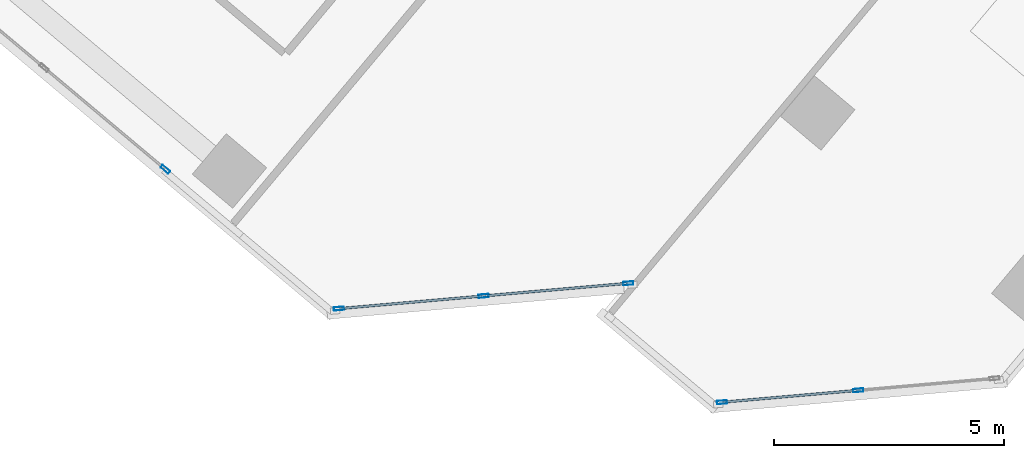
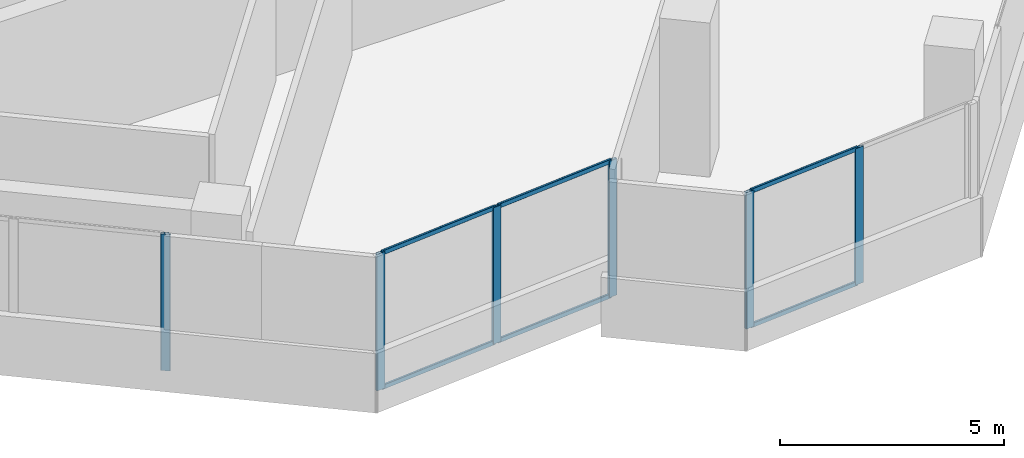
# One storey, part 3 of 17: 12 members, 3 elements without a shape of their own.
"""IFC4 building model written with IfcOpenShell, lengths in metres."""

from ifc_helpers import new_model, si_unit, direction, frame, origin, origin_2d, place, context, subcontext, project, spatial, hollow_rectangle, extrude, source, transform, mapped, material, material_profile, profile_set, type_object, element, aggregate, save


model = new_model("IFC4")

# Units and contexts
model_context = context("Model", 3, precision=1e-05, world=origin(), true_north=direction((0.0, 1.0)))
body_context = subcontext(model_context, "Body", "Model", "MODEL_VIEW")
ifc_project = project(units=[si_unit("LENGTHUNIT", "METRE"), si_unit("AREAUNIT", "SQUARE_METRE"), si_unit("VOLUMEUNIT", "CUBIC_METRE"), si_unit("PLANEANGLEUNIT", "RADIAN"), si_unit("MASSUNIT", "GRAM", prefix="KILO")], contexts=[model_context])

# Site, building, storey
site_placement = place(None, origin())
site = spatial("IfcSite", under=ifc_project, at=site_placement, CompositionType="ELEMENT")
building_placement = place(site_placement, origin())
building = spatial("IfcBuilding", under=site, at=building_placement, Name="Torre Montelarca", CompositionType="ELEMENT")
storey_placement = place(building_placement, frame((0.0, 0.0, 220.60009765625)))
storey = spatial("IfcBuildingStorey", under=building, at=storey_placement, Name="L49", CompositionType="ELEMENT", Elevation=220.60009765625)

# Curtain wall, members
ifc_material_1 = material(Name="Insulated low-E laminated glass", Category="glass")
curtain_wall_type = type_object("IfcCurtainWallType", Name="CW-SYS-Z3", PredefinedType="USERDEFINED", material=ifc_material_1)
curtain_wall_1_placement = place(storey_placement, origin())
curtain_wall_1 = element("IfcCurtainWall", 1, at=curtain_wall_1_placement, inside=storey, type_object=curtain_wall_type, Name="L49 Curtain Wall Run CW-T3-L49-E02-B1", ObjectType="UNITISED GLAZING", PredefinedType="USERDEFINED")
ifc_material_2 = material(Name="Anodised aluminium AA 6063-T6", Category="aluminium")
ifc_material_profile_1 = material_profile(ifc_material_2, hollow_rectangle(XDim=0.054931640625, YDim=0.1201171875, WallThickness=0.00341796875, InnerFilletRadius=0.00341796875, OuterFilletRadius=0.007080078125, at=origin_2d()), Name="ALU55X120X3.5", Category="aluminium")
ifc_profile_set_1 = profile_set([ifc_material_profile_1], Name="Anodised aluminium AA 6063-T6")
member_type_1 = type_object("IfcMemberType", Name="CWT-ALU120", PredefinedType="USERDEFINED", material=ifc_profile_set_1)
shared_shape_1 = source(origin(), body_context, "Body", "SweptSolid", [
    extrude(hollow_rectangle(XDim=0.054931640625, YDim=0.1201171875, WallThickness=0.00341796875, InnerFilletRadius=0.00341796875, OuterFilletRadius=0.007080078125, at=origin_2d()), origin(), (0.0, 0.0, 1.0), 3.08740234375),
])
member_1_placement = place(storey_placement, frame((17.077392578125, 12.294677734375, 0.02734375), z_axis=(0.996189081196, 0.087219920349, 0.0), x_axis=(-0.087219920349, 0.996189081196, 0.0)))
member_1 = element("IfcMember", 2, at=member_1_placement, type_object=member_type_1, Name="CW transom 1.1", ObjectType="TRANSOM", PredefinedType="USERDEFINED", context=body_context, shape_type="MappedRepresentation", body=[
    mapped(shared_shape_1, transform((0.0, 0.0, 0.0), scale=1.0)),
])
member_2_placement = place(storey_placement, frame((17.077392578125, 12.294677734375, 3.6923828125), z_axis=(0.996189081196, 0.087219920349, 0.0), x_axis=(-0.087219920349, 0.996189081196, 0.0)))
member_2 = element("IfcMember", 3, at=member_2_placement, type_object=member_type_1, Name="CW transom 1.2", ObjectType="TRANSOM", PredefinedType="USERDEFINED", context=body_context, shape_type="MappedRepresentation", body=[
    mapped(shared_shape_1, transform((0.0, 0.0, 0.0), scale=1.0)),
])
shared_shape_2 = source(origin(), body_context, "Body", "SweptSolid", [
    extrude(hollow_rectangle(XDim=0.054931640625, YDim=0.1201171875, WallThickness=0.00341796875, InnerFilletRadius=0.00341796875, OuterFilletRadius=0.007080078125, at=origin_2d()), origin(), (0.0, 0.0, 1.0), 3.087158203125),
])
member_3_placement = place(storey_placement, frame((20.22802734375, 12.570556640625, 0.02734375), z_axis=(0.996195348257, 0.087148311009, 0.0), x_axis=(-0.087148311009, 0.996195348257, 0.0)))
member_3 = element("IfcMember", 4, at=member_3_placement, type_object=member_type_1, Name="CW transom 2.1", ObjectType="TRANSOM", PredefinedType="USERDEFINED", context=body_context, shape_type="MappedRepresentation", body=[
    mapped(shared_shape_2, transform((0.0, 0.0, 0.0), scale=1.0)),
])
member_4_placement = place(storey_placement, frame((20.22802734375, 12.570556640625, 3.6923828125), z_axis=(0.996195348257, 0.087148311009, 0.0), x_axis=(-0.087148311009, 0.996195348257, 0.0)))
member_4 = element("IfcMember", 5, at=member_4_placement, type_object=member_type_1, Name="CW transom 2.2", ObjectType="TRANSOM", PredefinedType="USERDEFINED", context=body_context, shape_type="MappedRepresentation", body=[
    mapped(shared_shape_2, transform((0.0, 0.0, 0.0), scale=1.0)),
])

curtain_wall_2_placement = place(storey_placement, origin())
curtain_wall_2 = element("IfcCurtainWall", 6, at=curtain_wall_2_placement, inside=storey, type_object=curtain_wall_type, Name="L49 Curtain Wall Run CW-T3-L49-E05-B1", ObjectType="UNITISED GLAZING", PredefinedType="USERDEFINED")
shared_shape_3 = source(origin(), body_context, "Body", "SweptSolid", [
    extrude(hollow_rectangle(XDim=0.054931640625, YDim=0.1201171875, WallThickness=0.00341796875, InnerFilletRadius=0.00341796875, OuterFilletRadius=0.007080078125, at=origin_2d()), origin(), (0.0, 0.0, 1.0), 2.903564453125),
])
member_5_placement = place(storey_placement, frame((25.418701171875, 10.25634765625, 0.02734375), z_axis=(0.996198826652, 0.08710854021, 0.0), x_axis=(-0.08710854021, 0.996198826652, 0.0)))
member_5 = element("IfcMember", 7, at=member_5_placement, type_object=member_type_1, Name="CW transom 1.1", ObjectType="TRANSOM", PredefinedType="USERDEFINED", context=body_context, shape_type="MappedRepresentation", body=[
    mapped(shared_shape_3, transform((0.0, 0.0, 0.0), scale=1.0)),
])
member_6_placement = place(storey_placement, frame((25.418701171875, 10.25634765625, 3.6923828125), z_axis=(0.996198826652, 0.08710854021, 0.0), x_axis=(-0.08710854021, 0.996198826652, 0.0)))
member_6 = element("IfcMember", 8, at=member_6_placement, type_object=member_type_1, Name="CW transom 1.2", ObjectType="TRANSOM", PredefinedType="USERDEFINED", context=body_context, shape_type="MappedRepresentation", body=[
    mapped(shared_shape_3, transform((0.0, 0.0, 0.0), scale=1.0)),
])

# Curtain wall, member
curtain_wall_3_placement = place(storey_placement, origin())
curtain_wall_3 = element("IfcCurtainWall", 9, at=curtain_wall_3_placement, inside=storey, type_object=curtain_wall_type, Name="L49 Curtain Wall Run CW-T3-L49-E01-B2", ObjectType="UNITISED GLAZING", PredefinedType="USERDEFINED")
ifc_material_profile_2 = material_profile(ifc_material_2, hollow_rectangle(XDim=0.074951171875, YDim=0.219970703125, WallThickness=0.0048828125, InnerFilletRadius=0.0048828125, OuterFilletRadius=0.010009765625, at=origin_2d()), Name="ALU75X220X5", Category="aluminium")
ifc_profile_set_2 = profile_set([ifc_material_profile_2], Name="Anodised aluminium AA 6063-T6")
member_type_2 = type_object("IfcMemberType", Name="CWM-ALU220", PredefinedType="MULLION", material=ifc_profile_set_2)
shared_shape_4 = source(origin(), body_context, "Body", "SweptSolid", [
    extrude(hollow_rectangle(XDim=0.074951171875, YDim=0.219970703125, WallThickness=0.0048828125, InnerFilletRadius=0.0048828125, OuterFilletRadius=0.010009765625, at=origin_2d()), origin(), (0.0, 0.0, 1.0), 3.719970703125),
])
member_7_placement = place(storey_placement, frame((13.26123046875, 15.324462890625, 0.0), z_axis=(0.0, 0.0, 1.0), x_axis=(0.642786254716, 0.766045580072, 0.0)))
member_7 = element("IfcMember", 10, at=member_7_placement, type_object=member_type_2, Name="CW mullion 3", PredefinedType="MULLION", context=body_context, shape_type="MappedRepresentation", body=[
    mapped(shared_shape_4, transform((0.0, 0.0, 0.0), scale=1.0)),
])
aggregate(curtain_wall_3, [member_7])

# Member
member_8_placement = place(storey_placement, frame((17.0400390625, 12.29150390625, 0.0), z_axis=(0.0, 0.0, 1.0), x_axis=(-0.087189240987, 0.996191766808, 0.0)))
member_8 = element("IfcMember", 11, at=member_8_placement, type_object=member_type_2, Name="CW mullion 1", PredefinedType="MULLION", context=body_context, shape_type="MappedRepresentation", body=[
    mapped(shared_shape_4, transform((0.0, 0.0, 0.0), scale=1.0)),
])

member_9_placement = place(storey_placement, frame((20.1904296875, 12.567138671875, 0.0), z_axis=(0.0, 0.0, 1.0), x_axis=(-0.087189240987, 0.996191766808, 0.0)))
member_9 = element("IfcMember", 12, at=member_9_placement, type_object=member_type_2, Name="CW mullion 2", PredefinedType="MULLION", context=body_context, shape_type="MappedRepresentation", body=[
    mapped(shared_shape_4, transform((0.0, 0.0, 0.0), scale=1.0)),
])

member_10_placement = place(storey_placement, frame((23.341064453125, 12.843017578125, 0.0), z_axis=(0.0, 0.0, 1.0), x_axis=(-0.087189240987, 0.996191766808, 0.0)))
member_10 = element("IfcMember", 13, at=member_10_placement, type_object=member_type_2, Name="CW mullion 3", PredefinedType="MULLION", context=body_context, shape_type="MappedRepresentation", body=[
    mapped(shared_shape_4, transform((0.0, 0.0, 0.0), scale=1.0)),
])

aggregate(curtain_wall_1, [member_8, member_9, member_10, member_1, member_2, member_3, member_4])

member_11_placement = place(storey_placement, frame((25.38134765625, 10.2529296875, 0.0), z_axis=(0.0, 0.0, 1.0), x_axis=(-0.087181139731, 0.996192475817, 0.0)))
member_11 = element("IfcMember", 14, at=member_11_placement, type_object=member_type_2, Name="CW mullion 1", PredefinedType="MULLION", context=body_context, shape_type="MappedRepresentation", body=[
    mapped(shared_shape_4, transform((0.0, 0.0, 0.0), scale=1.0)),
])

member_12_placement = place(storey_placement, frame((28.3486328125, 10.5126953125, 0.0), z_axis=(0.0, 0.0, 1.0), x_axis=(-0.087181139731, 0.996192475817, 0.0)))
member_12 = element("IfcMember", 15, at=member_12_placement, type_object=member_type_2, Name="CW mullion 2", PredefinedType="MULLION", context=body_context, shape_type="MappedRepresentation", body=[
    mapped(shared_shape_4, transform((0.0, 0.0, 0.0), scale=1.0)),
])

aggregate(curtain_wall_2, [member_11, member_12, member_5, member_6])

save(model, "model.ifc")
